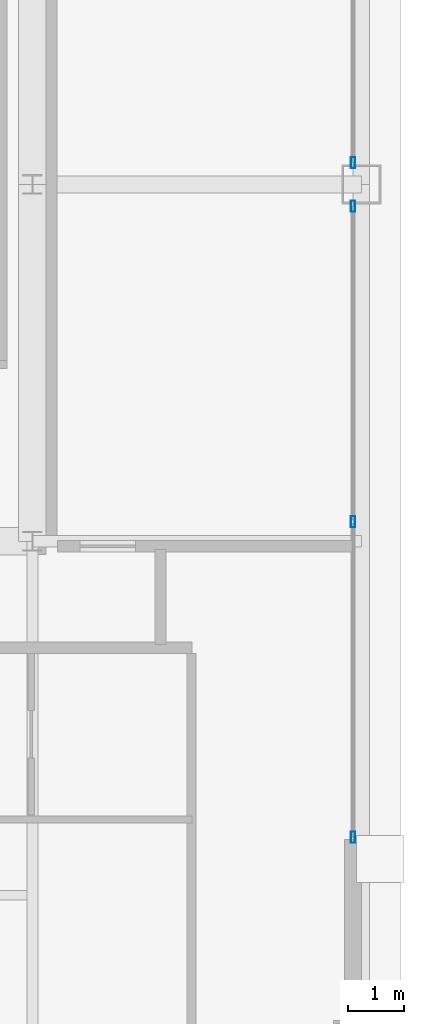
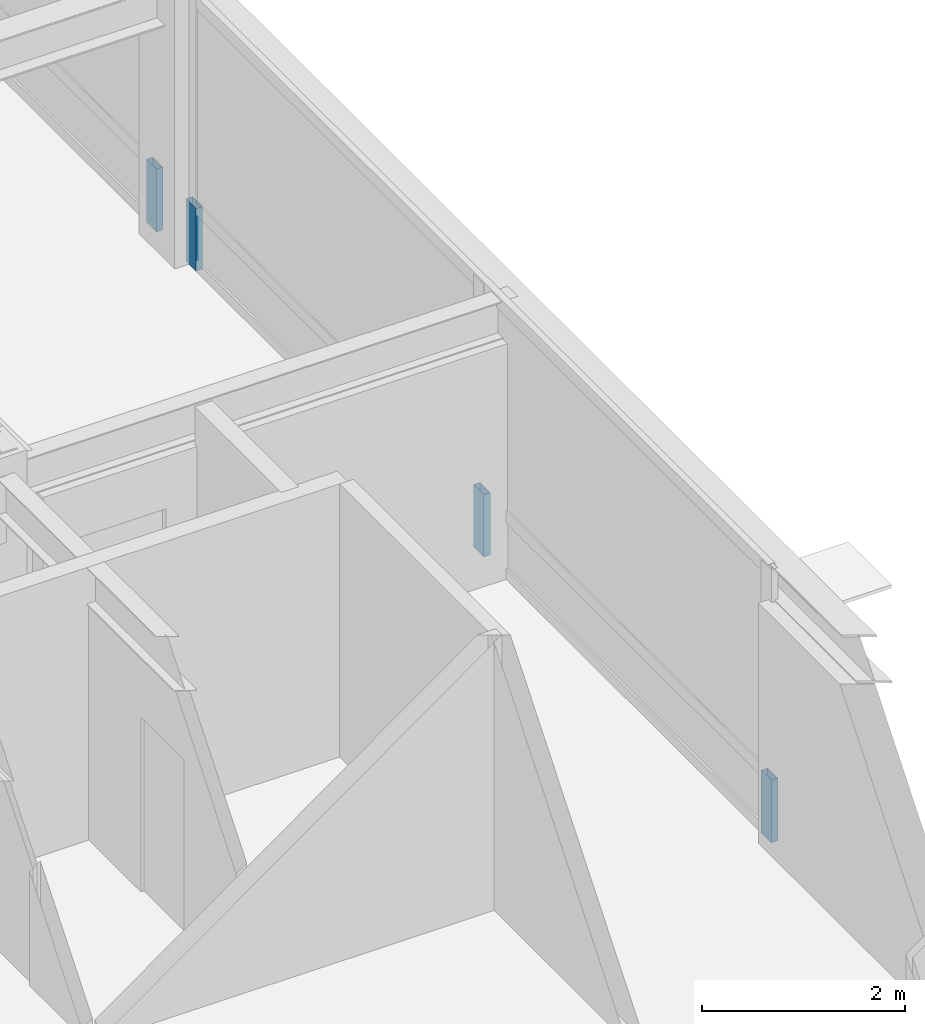
# One storey, part 25 of 35: 4 members, 2 elements without a shape of their own.
"""IFC4 building model written with IfcOpenShell, lengths in metres."""

from ifc_helpers import new_model, si_unit, direction, frame, origin, origin_2d, place, context, subcontext, project, spatial, hollow_rectangle, extrude, source, transform, mapped, material, layer, layer_set, material_profile, profile_set, type_object, element, aggregate, save


model = new_model("IFC4")

# Units and contexts
model_context = context("Model", 3, precision=1e-05, world=origin(), true_north=direction((0.0, 1.0)))
body_context = subcontext(model_context, "Body", "Model", "MODEL_VIEW")
ifc_project = project(units=[si_unit("LENGTHUNIT", "METRE"), si_unit("AREAUNIT", "SQUARE_METRE"), si_unit("VOLUMEUNIT", "CUBIC_METRE"), si_unit("PLANEANGLEUNIT", "RADIAN"), si_unit("MASSUNIT", "GRAM", prefix="KILO"), si_unit("THERMODYNAMICTEMPERATUREUNIT", "KELVIN"), si_unit("POWERUNIT", "WATT")], contexts=[model_context])

# Site, building, storey
site_placement = place(None, origin())
site = spatial("IfcSite", under=ifc_project, at=site_placement, CompositionType="ELEMENT")
building_placement = place(site_placement, origin())
building = spatial("IfcBuilding", under=site, at=building_placement, Name="Yuzanri Waterfront Tower", CompositionType="ELEMENT")
storey_placement = place(building_placement, frame((0.0, 0.0, 318.199951171875)))
storey = spatial("IfcBuildingStorey", under=building, at=storey_placement, Name="L85", CompositionType="ELEMENT", Elevation=318.199951171875)

# Curtain wall, members
ifc_material_1 = material(Name="Anodized Architectural Bronze", Category="metal")
ifc_layer = layer(ifc_material_1, 0.159912109375)
ifc_layer_set = layer_set([ifc_layer], Name="Anodized Architectural Bronze")
curtain_wall_type = type_object("IfcCurtainWallType", Name="Anodized Bronze High-Rise Penthouse High-Wind Unitized Curtain Wall 6900", PredefinedType="NOTDEFINED", material=ifc_layer_set)
curtain_wall_1_placement = place(storey_placement, origin())
curtain_wall_1 = element("IfcCurtainWall", 1, at=curtain_wall_1_placement, inside=storey, type_object=curtain_wall_type, Name="L85 Curtain Wall CW-L85-EL", PredefinedType="NOTDEFINED")
ifc_material_2 = material(Name="Anodized Architectural Bronze", Category="metal")
ifc_material_profile = material_profile(ifc_material_2, hollow_rectangle(XDim=0.074951171875, YDim=0.199951171875, WallThickness=0.00390625, at=origin_2d()), Name="CWM 75x200")
ifc_profile_set = profile_set([ifc_material_profile], Name="Anodized Architectural Bronze")
member_type = type_object("IfcMemberType", Name="Anodized Bronze Primary Curtain-Wall Mullion 75x200", PredefinedType="MULLION", material=ifc_profile_set)
shared_shape = source(origin(), body_context, "Body", "SweptSolid", [
    extrude(hollow_rectangle(XDim=0.074951171875, YDim=0.199951171875, WallThickness=0.00390625, at=origin_2d()), origin(), (0.0, 0.0, 1.0), 0.751953125),
])
member_1_placement = place(storey_placement, frame((55.949951171875, 14.090087890625, 0.0), z_axis=(0.0, 0.0, 1.0), x_axis=(1.0, 0.0, 0.0)))
member_1 = element("IfcMember", 2, at=member_1_placement, type_object=member_type, Name="CW-L85-EL Lower Mullion 00", PredefinedType="MULLION", context=body_context, shape_type="MappedRepresentation", body=[
    mapped(shared_shape, transform((0.0, 0.0, 0.0), scale=1.0)),
])
member_2_placement = place(storey_placement, frame((55.949951171875, 19.75, 0.0), z_axis=(0.0, 0.0, 1.0), x_axis=(1.0, 0.0, 0.0)))
member_2 = element("IfcMember", 3, at=member_2_placement, type_object=member_type, Name="CW-L85-EL Lower Mullion 01", PredefinedType="MULLION", context=body_context, shape_type="MappedRepresentation", body=[
    mapped(shared_shape, transform((0.0, 0.0, 0.0), scale=1.0)),
])
member_3_placement = place(storey_placement, frame((55.949951171875, 25.409912109375, 0.0), z_axis=(0.0, 0.0, 1.0), x_axis=(1.0, 0.0, 0.0)))
member_3 = element("IfcMember", 4, at=member_3_placement, type_object=member_type, Name="CW-L85-EL Lower Mullion 02", PredefinedType="MULLION", context=body_context, shape_type="MappedRepresentation", body=[
    mapped(shared_shape, transform((0.0, 0.0, 0.0), scale=1.0)),
])
aggregate(curtain_wall_1, [member_1, member_2, member_3])

# Curtain wall, member
curtain_wall_2_placement = place(storey_placement, origin())
curtain_wall_2 = element("IfcCurtainWall", 5, at=curtain_wall_2_placement, inside=storey, type_object=curtain_wall_type, Name="L85 Curtain Wall CW-L85-ER", PredefinedType="NOTDEFINED")
member_4_placement = place(storey_placement, frame((55.949951171875, 26.18994140625, 0.0), z_axis=(0.0, 0.0, 1.0), x_axis=(1.0, 0.0, 0.0)))
member_4 = element("IfcMember", 6, at=member_4_placement, type_object=member_type, Name="CW-L85-ER Lower Mullion 00", PredefinedType="MULLION", context=body_context, shape_type="MappedRepresentation", body=[
    mapped(shared_shape, transform((0.0, 0.0, 0.0), scale=1.0)),
])
aggregate(curtain_wall_2, [member_4])

save(model, "model.ifc")
